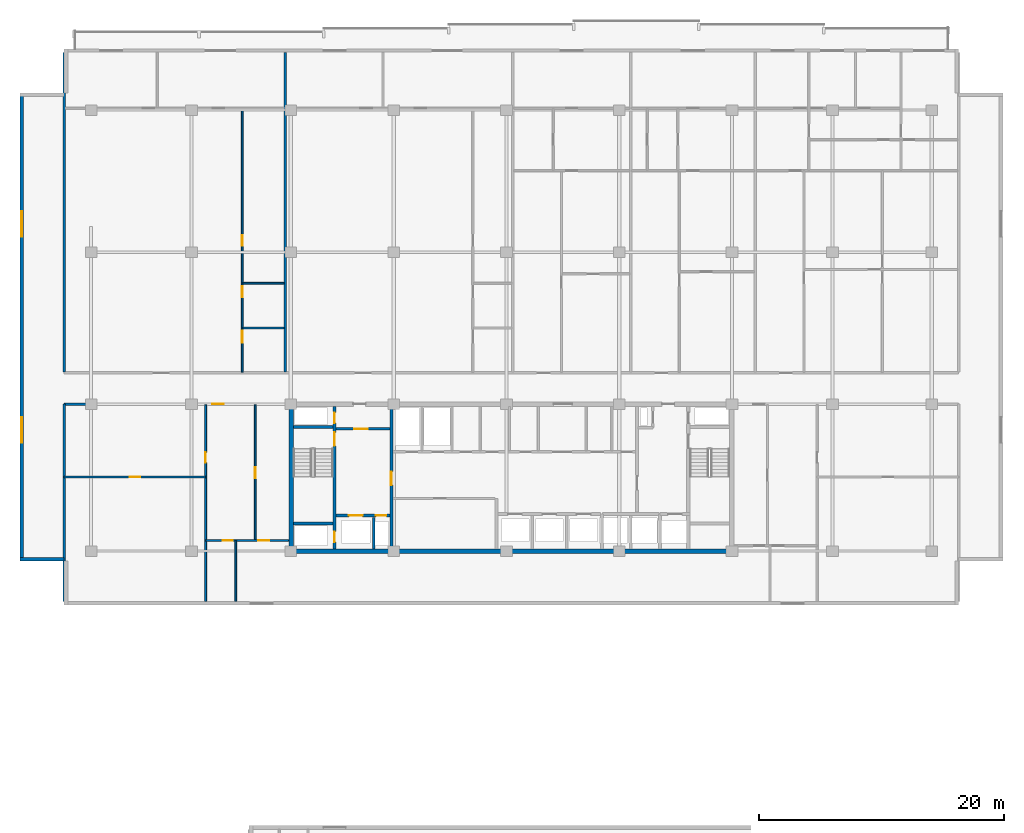
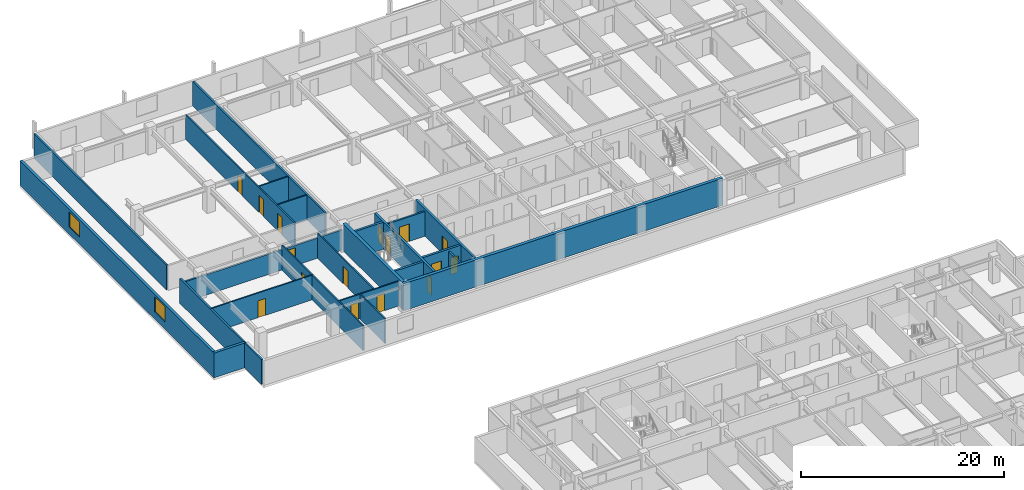
# One storey, part 10 of 21: 23 walls, 16 doors, 2 windows, 18 openings.
"""IFC4 building model written with IfcOpenShell, lengths in metres."""

from ifc_helpers import new_model, si_unit, direction, frame, frame_2d, origin, place, context, subcontext, project, spatial, rectangle, extrude, material, layer, layer_set, type_object, element, fill, save


model = new_model("IFC4")

# Units and contexts
model_context = context("Model", 3, precision=1e-05, world=origin(), true_north=direction((0.0, 1.0)))
body_context = subcontext(model_context, "Body", "Model", "MODEL_VIEW")
ifc_project = project(units=[si_unit("LENGTHUNIT", "METRE"), si_unit("AREAUNIT", "SQUARE_METRE"), si_unit("VOLUMEUNIT", "CUBIC_METRE"), si_unit("PLANEANGLEUNIT", "RADIAN"), si_unit("MASSUNIT", "GRAM", prefix="KILO")], contexts=[model_context])

# Site, building, storey
site_placement = place(None, origin())
site = spatial("IfcSite", under=ifc_project, at=site_placement, CompositionType="ELEMENT")
building_placement = place(site_placement, origin())
building = spatial("IfcBuilding", under=site, at=building_placement, Name="Korimba Cascade Residences", CompositionType="ELEMENT")
storey_placement = place(building_placement, frame((0.0, 0.0, 100.300048828125)))
storey = spatial("IfcBuildingStorey", under=building, at=storey_placement, Name="L28", CompositionType="ELEMENT", Elevation=100.300048828125)

# Wall, openings, windows
ifc_material_1 = material(Name="Precast concrete C40/50", Category="concrete")
ifc_layer_1 = layer(ifc_material_1, 0.300048828125)
ifc_layer_set_1 = layer_set([ifc_layer_1], Name="Precast concrete C40/50")
wall_type_1 = type_object("IfcWallType", Name="EW-STONE-300", PredefinedType="STANDARD", material=ifc_layer_set_1)
wall_1_placement = place(storey_placement, frame((54.14990234375, 92.60009765625, 0.0), z_axis=(0.0, 0.0, 1.0), x_axis=(0.0, -1.0, 0.0)))
wall_1 = element("IfcWall", 1, at=wall_1_placement, inside=storey, type_object=wall_type_1, Name="L28 T1 Perimeter Stone Wall E09", PredefinedType="STANDARD", context=body_context, shape_type="SweptSolid", body=[
    extrude(rectangle(XDim=38.2001953125, YDim=0.300048828125, at=frame_2d((19.10009765625, 0.0))), origin(), (0.0, 0.0, 1.0), 2.969970703125),
])
opening_1_placement = place(wall_1_placement, frame((9.64599609375, 0.0, 0.85009765625)))
opening_1 = element("IfcOpeningElement", 2, at=opening_1_placement, cuts=wall_1, Name="Opening W-03", PredefinedType="OPENING", context=body_context, shape_type="SweptSolid", body=[
    extrude(rectangle(XDim=2.10009765625, YDim=1.85009765625, at=frame_2d((1.050048828125, 0.925048828125))), frame((0.0, 0.16015625, 0.0), z_axis=(0.0, -1.0, 0.0), x_axis=(1.0, 0.0, 0.0)), (0.0, 0.0, 1.0), 0.320068359375),
])
opening_2_placement = place(wall_1_placement, frame((26.4541015625, 0.0, 0.85009765625)))
opening_2 = element("IfcOpeningElement", 3, at=opening_2_placement, cuts=wall_1, Name="Opening W-03", PredefinedType="OPENING", context=body_context, shape_type="SweptSolid", body=[
    extrude(rectangle(XDim=2.10009765625, YDim=1.85009765625, at=frame_2d((1.050048828125, 0.925048828125))), frame((0.0, 0.16015625, 0.0), z_axis=(0.0, -1.0, 0.0), x_axis=(1.0, 0.0, 0.0)), (0.0, 0.0, 1.0), 0.320068359375),
])
ifc_material_2 = material(Name="Double-Glazed Aluminium Window", Category="aluminium")
window_type = type_object("IfcWindowType", Name="WIN-CRN-2100", PartitioningType="DOUBLE_PANEL_HORIZONTAL", PredefinedType="WINDOW", material=ifc_material_2)
window_1_placement = place(opening_1_placement, origin())
window_1 = element("IfcWindow", 4, at=window_1_placement, inside=storey, type_object=window_type, Name="L28 T1 End View Window 9.1", OverallHeight=1.85009765625, OverallWidth=2.10009765625, PartitioningType="DOUBLE_PANEL_HORIZONTAL", PredefinedType="WINDOW", context=body_context, shape_type="SweptSolid", body=[
    extrude(rectangle(XDim=2.10009765625, YDim=1.85009765625, at=frame_2d((1.050048828125, 0.925048828125))), frame((0.0, 0.030029296875, 0.0), z_axis=(0.0, -1.0, 0.0), x_axis=(1.0, 0.0, 0.0)), (0.0, 0.0, 1.0), 0.06005859375),
])
fill(opening_1, window_1)
window_2_placement = place(opening_2_placement, origin())
window_2 = element("IfcWindow", 5, at=window_2_placement, inside=storey, type_object=window_type, Name="L28 T1 End View Window 9.2", OverallHeight=1.85009765625, OverallWidth=2.10009765625, PartitioningType="DOUBLE_PANEL_HORIZONTAL", PredefinedType="WINDOW", context=body_context, shape_type="SweptSolid", body=[
    extrude(rectangle(XDim=2.10009765625, YDim=1.85009765625, at=frame_2d((1.050048828125, 0.925048828125))), frame((0.0, 0.030029296875, 0.0), z_axis=(0.0, -1.0, 0.0), x_axis=(1.0, 0.0, 0.0)), (0.0, 0.0, 1.0), 0.06005859375),
])
fill(opening_2, window_2)

# Walls
wall_2_placement = place(storey_placement, frame((54.0, 54.550048828125, 0.0), z_axis=(0.0, 0.0, 1.0), x_axis=(1.0, 0.0, 0.0)))
element("IfcWall", 6, at=wall_2_placement, inside=storey, type_object=wall_type_1, Name="L28 T1 Perimeter Stone Wall E10", PredefinedType="STANDARD", context=body_context, shape_type="SweptSolid", body=[
    extrude(rectangle(XDim=3.60009765625, YDim=0.300048828125, at=frame_2d((1.800048828125, 0.0))), origin(), (0.0, 0.0, 1.0), 2.969970703125),
])
ifc_material_3 = material(Name="Concrete C65/80", Category="concrete")
ifc_layer_2 = layer(ifc_material_3, 0.35009765625)
ifc_layer_set_2 = layer_set([ifc_layer_2], Name="Concrete C65/80")
wall_type_2 = type_object("IfcWallType", Name="WAL-CORE-350", PredefinedType="SHEAR", material=ifc_layer_set_2)
wall_3_placement = place(storey_placement, frame((75.949951171875, 55.199951171875, 0.0), z_axis=(0.0, 0.0, 1.0), x_axis=(1.0, 0.0, 0.0)))
element("IfcWall", 7, at=wall_3_placement, inside=storey, type_object=wall_type_2, Name="L28 Core Shear Wall CW-L28-T1-S", PredefinedType="SHEAR", context=body_context, shape_type="SweptSolid", body=[
    extrude(rectangle(XDim=36.300048828125, YDim=0.35009765625, at=frame_2d((18.14990234375, 0.0))), origin(), (0.0, 0.0, 1.0), 3.25),
])
wall_4_placement = place(storey_placement, frame((76.125, 55.375, 0.0), z_axis=(0.0, 0.0, 1.0), x_axis=(0.0, 1.0, 0.0)))
element("IfcWall", 8, at=wall_4_placement, inside=storey, type_object=wall_type_2, Name="L28 Core Shear Wall CW-L28-T1-W", PredefinedType="SHEAR", context=body_context, shape_type="SweptSolid", body=[
    extrude(rectangle(XDim=11.64990234375, YDim=0.35009765625, at=frame_2d((5.824951171875, 0.0))), origin(), (0.0, 0.0, 1.0), 3.25),
])
ifc_layer_3 = layer(ifc_material_1, 0.199951171875)
ifc_layer_set_3 = layer_set([ifc_layer_3], Name="Precast concrete C40/50")
wall_type_3 = type_object("IfcWallType", Name="WAL-IT-200", PredefinedType="PARTITIONING", material=ifc_layer_set_3)
wall_5_placement = place(storey_placement, frame((57.60009765625, 51.10009765625, 0.0), z_axis=(0.0, 0.0, 1.0), x_axis=(0.0, 1.0, 0.0)))
element("IfcWall", 9, at=wall_5_placement, inside=storey, type_object=wall_type_3, Name="L28 Partition Wall WAL-L28-T1-FW-WL", PredefinedType="PARTITIONING", context=body_context, shape_type="SweptSolid", body=[
    extrude(rectangle(XDim=16.099853515625, YDim=0.199951171875, at=frame_2d((8.0498046875, 0.0))), origin(), (0.0, 0.0, 1.0), 2.969970703125),
])

# Wall, opening, door
wall_6_placement = place(storey_placement, frame((57.60009765625, 67.199951171875, 0.0), z_axis=(0.0, 0.0, 1.0), x_axis=(1.0, 0.0, 0.0)))
wall_6 = element("IfcWall", 10, at=wall_6_placement, inside=storey, type_object=wall_type_3, Name="L28 Partition Wall WAL-L28-T1-FW-N", PredefinedType="PARTITIONING", context=body_context, shape_type="SweptSolid", body=[
    extrude(rectangle(XDim=18.349853515625, YDim=0.199951171875, at=frame_2d((9.1748046875, 0.0))), origin(), (0.0, 0.0, 1.0), 2.433349609375),
])
opening_3_placement = place(wall_6_placement, frame((12.07470703125, 0.0, 0.0)))
opening_3 = element("IfcOpeningElement", 11, at=opening_3_placement, cuts=wall_6, Name="Opening D-UN1", PredefinedType="OPENING", context=body_context, shape_type="SweptSolid", body=[
    extrude(rectangle(XDim=0.949951171875, YDim=2.14990234375, at=frame_2d((0.47509765625, 1.074951171875))), frame((0.0, 0.10986328125, 0.0), z_axis=(0.0, -1.0, 0.0), x_axis=(1.0, 0.0, 0.0)), (0.0, 0.0, 1.0), 0.219970703125),
])
ifc_material_4 = material(Name="Fire-Rated Hardwood Apartment Entrance Door", Category="wood")
door_type_1 = type_object("IfcDoorType", Name="DR-FD60-950", OperationType="NOTDEFINED", PredefinedType="DOOR", material=ifc_material_4)
door_1_placement = place(opening_3_placement, origin())
door_1 = element("IfcDoor", 12, at=door_1_placement, inside=storey, type_object=door_type_1, Name="L28-T1-FW Entrance Door", OperationType="SINGLE_SWING_LEFT", OverallHeight=2.14990234375, OverallWidth=0.949951171875, PredefinedType="DOOR", context=body_context, shape_type="SweptSolid", body=[
    extrude(rectangle(XDim=0.949951171875, YDim=2.14990234375, at=frame_2d((0.47509765625, 1.074951171875))), frame((0.0, 0.02490234375, 0.0), z_axis=(0.0, -1.0, 0.0), x_axis=(1.0, 0.0, 0.0)), (0.0, 0.0, 1.0), 0.050048828125),
])
fill(opening_3, door_1)

# Walls
for number, where, z_axis, x_axis, name in (
    (13, (57.60009765625, 69.830078125, 0.0), (0.0, 0.0, 1.0), (0.0, 1.0, 0.0), "L28 Partition Wall WAL-L28-T1-BNDWL"),
    (14, (75.632080078125, 69.830078125, 0.0), (0.0, 0.0, 1.0), (0.0, 1.0, 0.0), "L28 Partition Wall WAL-L28-T1-DEM-1"),
):
    element("IfcWall", number, at=place(storey_placement, frame(where, z_axis=z_axis, x_axis=x_axis)), inside=storey, type_object=wall_type_3, Name=name, PredefinedType="PARTITIONING", context=body_context, shape_type="SweptSolid", body=[
        extrude(rectangle(XDim=26.06982421875, YDim=0.199951171875, at=frame_2d((13.034912109375, 0.0))), origin(), (0.0, 0.0, 1.0), 2.969970703125),
    ])

# Wall, opening, door
ifc_material_5 = material(Name="Insulated Acoustic Stud Partition", Category="gypsum")
ifc_layer_4 = layer(ifc_material_5, 0.14990234375)
ifc_layer_set_4 = layer_set([ifc_layer_4], Name="Insulated Acoustic Stud Partition")
wall_type_4 = type_object("IfcWallType", Name="WAL-PART-150", PredefinedType="PARTITIONING", material=ifc_layer_set_4)
wall_7_placement = place(storey_placement, frame((57.60009765625, 61.25, 0.0), z_axis=(0.0, 0.0, 1.0), x_axis=(1.0, 0.0, 0.0)))
wall_7 = element("IfcWall", 15, at=wall_7_placement, inside=storey, type_object=wall_type_4, Name="L28 Partition Wall WAL-L28-T1-FW-STH", PredefinedType="PARTITIONING", context=body_context, shape_type="SweptSolid", body=[
    extrude(rectangle(XDim=11.5498046875, YDim=0.14990234375, at=frame_2d((5.77490234375, 0.0))), origin(), (0.0, 0.0, 1.0), 2.969970703125),
])
opening_4_placement = place(wall_7_placement, frame((5.35498046875, 0.0, 0.0)))
opening_4 = element("IfcOpeningElement", 16, at=opening_4_placement, cuts=wall_7, Name="Opening D-BT1", PredefinedType="OPENING", context=body_context, shape_type="SweptSolid", body=[
    extrude(rectangle(XDim=0.840087890625, YDim=2.0400390625, at=frame_2d((0.419921875, 1.02001953125))), frame((0.0, 0.0849609375, 0.0), z_axis=(0.0, -1.0, 0.0), x_axis=(1.0, 0.0, 0.0)), (0.0, 0.0, 1.0), 0.169921875),
])
ifc_material_6 = material(Name="Moisture-Resistant Bathroom Timber Door", Category="wood")
door_type_2 = type_object("IfcDoorType", Name="DR-INT-850", OperationType="NOTDEFINED", PredefinedType="DOOR", material=ifc_material_6)
door_2_placement = place(opening_4_placement, origin())
door_2 = element("IfcDoor", 17, at=door_2_placement, inside=storey, type_object=door_type_2, Name="L28-T1-FW Dressing Store Door", OperationType="SINGLE_SWING_RIGHT", OverallHeight=2.0400390625, OverallWidth=0.840087890625, PredefinedType="DOOR", context=body_context, shape_type="SweptSolid", body=[
    extrude(rectangle(XDim=0.840087890625, YDim=2.0400390625, at=frame_2d((0.419921875, 1.02001953125))), frame((0.0, 0.02490234375, 0.0), z_axis=(0.0, -1.0, 0.0), x_axis=(1.0, 0.0, 0.0)), (0.0, 0.0, 1.0), 0.050048828125),
])
fill(opening_4, door_2)

wall_8_placement = place(storey_placement, frame((69.14990234375, 51.10009765625, 0.0), z_axis=(0.0, 0.0, 1.0), x_axis=(0.0, 1.0, 0.0)))
wall_8 = element("IfcWall", 18, at=wall_8_placement, inside=storey, type_object=wall_type_4, Name="L28 Partition Wall WAL-L28-T1-FW-STV", PredefinedType="PARTITIONING", context=body_context, shape_type="SweptSolid", body=[
    extrude(rectangle(XDim=16.0498046875, YDim=0.14990234375, at=frame_2d((8.02490234375, 0.0))), origin(), (0.0, 0.0, 1.0), 2.969970703125),
])
opening_5_placement = place(wall_8_placement, frame((11.300048828125, 0.0, 0.0)))
opening_5 = element("IfcOpeningElement", 19, at=opening_5_placement, cuts=wall_8, Name="Opening D-IN2", PredefinedType="OPENING", context=body_context, shape_type="SweptSolid", body=[
    extrude(rectangle(XDim=0.8798828125, YDim=2.06005859375, at=frame_2d((0.43994140625, 1.030029296875))), frame((0.0, 0.0849609375, 0.0), z_axis=(0.0, -1.0, 0.0), x_axis=(1.0, 0.0, 0.0)), (0.0, 0.0, 1.0), 0.169921875),
])
ifc_material_7 = material(Name="Acoustic Timber Bedroom Door", Category="wood")
door_type_3 = type_object("IfcDoorType", Name="DR-INT-880", OperationType="NOTDEFINED", PredefinedType="DOOR", material=ifc_material_7)
door_3_placement = place(opening_5_placement, origin())
door_3 = element("IfcDoor", 20, at=door_3_placement, inside=storey, type_object=door_type_3, Name="L28-T1-FW Study Door", OperationType="SINGLE_SWING_LEFT", OverallHeight=2.06005859375, OverallWidth=0.8798828125, PredefinedType="DOOR", context=body_context, shape_type="SweptSolid", body=[
    extrude(rectangle(XDim=0.8798828125, YDim=2.06005859375, at=frame_2d((0.43994140625, 1.030029296875))), frame((0.0, 0.02490234375, 0.0), z_axis=(0.0, -1.0, 0.0), x_axis=(1.0, 0.0, 0.0)), (0.0, 0.0, 1.0), 0.050048828125),
])
fill(opening_5, door_3)

wall_9_placement = place(storey_placement, frame((73.199951171875, 56.070068359375, 0.0), z_axis=(0.0, 0.0, 1.0), x_axis=(0.0, 1.0, 0.0)))
wall_9 = element("IfcWall", 21, at=wall_9_placement, inside=storey, type_object=wall_type_4, Name="L28 Partition Wall WAL-L28-T1-FW-VN", PredefinedType="PARTITIONING", context=body_context, shape_type="SweptSolid", body=[
    extrude(rectangle(XDim=11.079833984375, YDim=0.14990234375, at=frame_2d((5.5400390625, 0.0))), origin(), (0.0, 0.0, 1.0), 2.969970703125),
])
opening_6_placement = place(wall_9_placement, frame((5.080078125, 0.0, 0.0)))
opening_6 = element("IfcOpeningElement", 22, at=opening_6_placement, cuts=wall_9, Name="Opening D-IN1", PredefinedType="OPENING", context=body_context, shape_type="SweptSolid", body=[
    extrude(rectangle(XDim=0.919921875, YDim=2.080078125, at=frame_2d((0.4599609375, 1.0400390625))), frame((0.0, 0.0849609375, 0.0), z_axis=(0.0, -1.0, 0.0), x_axis=(1.0, 0.0, 0.0)), (0.0, 0.0, 1.0), 0.169921875),
])
ifc_material_8 = material(Name="Acoustic Timber Living Door", Category="wood")
door_type_4 = type_object("IfcDoorType", Name="DR-INT-920", OperationType="NOTDEFINED", PredefinedType="DOOR", material=ifc_material_8)
door_4_placement = place(opening_6_placement, origin())
door_4 = element("IfcDoor", 23, at=door_4_placement, inside=storey, type_object=door_type_4, Name="L28-T1-FW Living Door", OperationType="SINGLE_SWING_RIGHT", OverallHeight=2.080078125, OverallWidth=0.919921875, PredefinedType="DOOR", context=body_context, shape_type="SweptSolid", body=[
    extrude(rectangle(XDim=0.919921875, YDim=2.080078125, at=frame_2d((0.4599609375, 1.0400390625))), frame((0.0, 0.02490234375, 0.0), z_axis=(0.0, -1.0, 0.0), x_axis=(1.0, 0.0, 0.0)), (0.0, 0.0, 1.0), 0.050048828125),
])
fill(opening_6, door_4)

# Wall
wall_10_placement = place(storey_placement, frame((71.60009765625, 51.10009765625, 0.0), z_axis=(0.0, 0.0, 1.0), x_axis=(0.0, 1.0, 0.0)))
element("IfcWall", 24, at=wall_10_placement, inside=storey, type_object=wall_type_4, Name="L28 Partition Wall WAL-L28-T1-FW-VS", PredefinedType="PARTITIONING", context=body_context, shape_type="SweptSolid", body=[
    extrude(rectangle(XDim=4.969970703125, YDim=0.14990234375, at=frame_2d((2.48486328125, 0.0))), origin(), (0.0, 0.0, 1.0), 2.969970703125),
])

# Wall, openings, doors
wall_11_placement = place(storey_placement, frame((69.169921875, 56.070068359375, 0.0), z_axis=(0.0, 0.0, 1.0), x_axis=(1.0, 0.0, 0.0)))
wall_11 = element("IfcWall", 25, at=wall_11_placement, inside=storey, type_object=wall_type_4, Name="L28 Partition Wall WAL-L28-T1-FW-H", PredefinedType="PARTITIONING", context=body_context, shape_type="SweptSolid", body=[
    extrude(rectangle(XDim=6.760009765625, YDim=0.14990234375, at=frame_2d((3.3798828125, 0.0))), origin(), (0.0, 0.0, 1.0), 2.969970703125),
])
opening_7_placement = place(wall_11_placement, frame((1.3623046875, 0.0, 0.0)))
opening_7 = element("IfcOpeningElement", 26, at=opening_7_placement, cuts=wall_11, Name="Opening D-BT1", PredefinedType="OPENING", context=body_context, shape_type="SweptSolid", body=[
    extrude(rectangle(XDim=0.840087890625, YDim=2.0400390625, at=frame_2d((0.419921875, 1.02001953125))), frame((0.0, 0.0849609375, 0.0), z_axis=(0.0, -1.0, 0.0), x_axis=(1.0, 0.0, 0.0)), (0.0, 0.0, 1.0), 0.169921875),
])
opening_8_placement = place(wall_11_placement, frame((4.276611328125, 0.0, 0.0)))
opening_8 = element("IfcOpeningElement", 27, at=opening_8_placement, cuts=wall_11, Name="Opening D-IN2", PredefinedType="OPENING", context=body_context, shape_type="SweptSolid", body=[
    extrude(rectangle(XDim=0.8798828125, YDim=2.06005859375, at=frame_2d((0.43994140625, 1.030029296875))), frame((0.0, 0.0849609375, 0.0), z_axis=(0.0, -1.0, 0.0), x_axis=(1.0, 0.0, 0.0)), (0.0, 0.0, 1.0), 0.169921875),
])
door_5_placement = place(opening_7_placement, origin())
door_5 = element("IfcDoor", 28, at=door_5_placement, inside=storey, type_object=door_type_2, Name="L28-T1-FW Bathroom Door", OperationType="SINGLE_SWING_LEFT", OverallHeight=2.0400390625, OverallWidth=0.840087890625, PredefinedType="DOOR", context=body_context, shape_type="SweptSolid", body=[
    extrude(rectangle(XDim=0.840087890625, YDim=2.0400390625, at=frame_2d((0.419921875, 1.02001953125))), frame((0.0, 0.02490234375, 0.0), z_axis=(0.0, -1.0, 0.0), x_axis=(1.0, 0.0, 0.0)), (0.0, 0.0, 1.0), 0.050048828125),
])
fill(opening_7, door_5)
door_6_placement = place(opening_8_placement, origin())
door_6 = element("IfcDoor", 29, at=door_6_placement, inside=storey, type_object=door_type_3, Name="L28-T1-FW Bedroom Door", OperationType="SINGLE_SWING_RIGHT", OverallHeight=2.06005859375, OverallWidth=0.8798828125, PredefinedType="DOOR", context=body_context, shape_type="SweptSolid", body=[
    extrude(rectangle(XDim=0.8798828125, YDim=2.06005859375, at=frame_2d((0.43994140625, 1.030029296875))), frame((0.0, 0.02490234375, 0.0), z_axis=(0.0, -1.0, 0.0), x_axis=(1.0, 0.0, 0.0)), (0.0, 0.0, 1.0), 0.050048828125),
])
fill(opening_8, door_6)

# Walls
for number, where, z_axis, x_axis, name in (
    (30, (72.192138671875, 73.419921875, 0.0), (0.0, 0.0, 1.0), (1.0, 0.0, 0.0), "L28 Partition Wall WAL-L28-T1-U01-WCH"),
    (31, (72.192138671875, 77.070068359375, 0.0), (0.0, 0.0, 1.0), (1.0, 0.0, 0.0), "L28 Partition Wall WAL-L28-T1-U01-WCH2"),
):
    element("IfcWall", number, at=place(storey_placement, frame(where, z_axis=z_axis, x_axis=x_axis)), inside=storey, type_object=wall_type_4, Name=name, PredefinedType="PARTITIONING", context=body_context, shape_type="SweptSolid", body=[
        extrude(rectangle(XDim=3.35986328125, YDim=0.14990234375, at=frame_2d((1.679931640625, 0.0))), origin(), (0.0, 0.0, 1.0), 2.969970703125),
    ])

# Wall, openings, doors
wall_12_placement = place(storey_placement, frame((72.132080078125, 69.81005859375, 0.0), z_axis=(0.0, 0.0, 1.0), x_axis=(0.0, 1.0, 0.0)))
wall_12 = element("IfcWall", 32, at=wall_12_placement, inside=storey, type_object=wall_type_4, Name="L28 Partition Wall WAL-L28-T1-U01-WCV", PredefinedType="PARTITIONING", context=body_context, shape_type="SweptSolid", body=[
    extrude(rectangle(XDim=21.47998046875, YDim=0.14990234375, at=frame_2d((10.739990234375, 0.0))), origin(), (0.0, 0.0, 1.0), 2.969970703125),
])
opening_9_placement = place(wall_12_placement, frame((2.406005859375, 0.0, 0.0)))
opening_9 = element("IfcOpeningElement", 33, at=opening_9_placement, cuts=wall_12, Name="Opening D-AC1", PredefinedType="OPENING", context=body_context, shape_type="SweptSolid", body=[
    extrude(rectangle(XDim=0.9599609375, YDim=2.10009765625, at=frame_2d((0.47998046875, 1.050048828125))), frame((0.0, 0.0849609375, 0.0), z_axis=(0.0, -1.0, 0.0), x_axis=(1.0, 0.0, 0.0)), (0.0, 0.0, 1.0), 0.169921875),
])
opening_10_placement = place(wall_12_placement, frame((6.132568359375, 0.0, 0.0)))
opening_10 = element("IfcOpeningElement", 34, at=opening_10_placement, cuts=wall_12, Name="Opening D-IN2", PredefinedType="OPENING", context=body_context, shape_type="SweptSolid", body=[
    extrude(rectangle(XDim=0.8798828125, YDim=2.06005859375, at=frame_2d((0.43994140625, 1.030029296875))), frame((0.0, 0.0849609375, 0.0), z_axis=(0.0, -1.0, 0.0), x_axis=(1.0, 0.0, 0.0)), (0.0, 0.0, 1.0), 0.169921875),
])
opening_11_placement = place(wall_12_placement, frame((10.320068359375, 0.0, 0.0)))
opening_11 = element("IfcOpeningElement", 35, at=opening_11_placement, cuts=wall_12, Name="Opening D-BT1", PredefinedType="OPENING", context=body_context, shape_type="SweptSolid", body=[
    extrude(rectangle(XDim=0.840087890625, YDim=2.0400390625, at=frame_2d((0.419921875, 1.02001953125))), frame((0.0, 0.0849609375, 0.0), z_axis=(0.0, -1.0, 0.0), x_axis=(1.0, 0.0, 0.0)), (0.0, 0.0, 1.0), 0.169921875),
])
ifc_material_9 = material(Name="Accessible Acoustic Timber WC Door", Category="wood")
door_type_5 = type_object("IfcDoorType", Name="DR-ACC-950", OperationType="NOTDEFINED", PredefinedType="DOOR", material=ifc_material_9)
door_7_placement = place(opening_9_placement, origin())
door_7 = element("IfcDoor", 36, at=door_7_placement, inside=storey, type_object=door_type_5, Name="L28-T1-U01 Accessible WC Door", OperationType="SINGLE_SWING_RIGHT", OverallHeight=2.10009765625, OverallWidth=0.9599609375, PredefinedType="DOOR", context=body_context, shape_type="SweptSolid", body=[
    extrude(rectangle(XDim=0.9599609375, YDim=2.10009765625, at=frame_2d((0.47998046875, 1.050048828125))), frame((0.0, 0.02490234375, 0.0), z_axis=(0.0, -1.0, 0.0), x_axis=(1.0, 0.0, 0.0)), (0.0, 0.0, 1.0), 0.050048828125),
])
fill(opening_9, door_7)
door_8_placement = place(opening_11_placement, origin())
door_8 = element("IfcDoor", 37, at=door_8_placement, inside=storey, type_object=door_type_2, Name="L28-T1-U01 Suite Store Door", OperationType="SINGLE_SWING_RIGHT", OverallHeight=2.0400390625, OverallWidth=0.840087890625, PredefinedType="DOOR", context=body_context, shape_type="SweptSolid", body=[
    extrude(rectangle(XDim=0.840087890625, YDim=2.0400390625, at=frame_2d((0.419921875, 1.02001953125))), frame((0.0, 0.02490234375, 0.0), z_axis=(0.0, -1.0, 0.0), x_axis=(1.0, 0.0, 0.0)), (0.0, 0.0, 1.0), 0.050048828125),
])
fill(opening_11, door_8)
door_9_placement = place(opening_10_placement, origin())
door_9 = element("IfcDoor", 38, at=door_9_placement, inside=storey, type_object=door_type_3, Name="L28-T1-U01 Restroom WC Door", OperationType="SINGLE_SWING_LEFT", OverallHeight=2.06005859375, OverallWidth=0.8798828125, PredefinedType="DOOR", context=body_context, shape_type="SweptSolid", body=[
    extrude(rectangle(XDim=0.8798828125, YDim=2.06005859375, at=frame_2d((0.43994140625, 1.030029296875))), frame((0.0, 0.02490234375, 0.0), z_axis=(0.0, -1.0, 0.0), x_axis=(1.0, 0.0, 0.0)), (0.0, 0.0, 1.0), 0.050048828125),
])
fill(opening_10, door_9)

# Wall
ifc_material_10 = material(Name="Concrete C40/50", Category="concrete")
ifc_layer_5 = layer(ifc_material_10, 0.199951171875)
ifc_layer_set_5 = layer_set([ifc_layer_5], Name="Concrete C40/50")
wall_type_5 = type_object("IfcWallType", Name="WAL-PART-200", PredefinedType="PARTITIONING", material=ifc_layer_set_5)
wall_13_placement = place(storey_placement, frame((82.85009765625, 55.39990234375, 0.0), z_axis=(0.0, 0.0, 1.0), x_axis=(0.0, 1.0, 0.0)))
element("IfcWall", 39, at=wall_13_placement, inside=storey, type_object=wall_type_5, Name="L28 Partition Wall CW-L28-T1-FFLDIV", PredefinedType="PARTITIONING", context=body_context, shape_type="SweptSolid", body=[
    extrude(rectangle(XDim=2.56005859375, YDim=0.199951171875, at=frame_2d((1.280029296875, 0.0))), origin(), (0.0, 0.0, 1.0), 2.969970703125),
])

# Wall, opening, door
wall_14_placement = place(storey_placement, frame((79.7900390625, 65.179931640625, 0.0), z_axis=(0.0, 0.0, 1.0), x_axis=(1.0, 0.0, 0.0)))
wall_14 = element("IfcWall", 40, at=wall_14_placement, inside=storey, type_object=wall_type_5, Name="L28 Partition Wall CW-L28-T1-FFLN", PredefinedType="PARTITIONING", context=body_context, shape_type="SweptSolid", body=[
    extrude(rectangle(XDim=4.389892578125, YDim=0.199951171875, at=frame_2d((2.19482421875, 0.0))), origin(), (0.0, 0.0, 1.0), 2.969970703125),
])
opening_12_placement = place(wall_14_placement, frame((1.5, 0.0, 0.0)))
opening_12 = element("IfcOpeningElement", 41, at=opening_12_placement, cuts=wall_14, Name="Opening D-FD1", PredefinedType="OPENING", context=body_context, shape_type="SweptSolid", body=[
    extrude(rectangle(XDim=1.10009765625, YDim=2.10009765625, at=frame_2d((0.550048828125, 1.050048828125))), frame((0.0, 0.10986328125, 0.0), z_axis=(0.0, -1.0, 0.0), x_axis=(1.0, 0.0, 0.0)), (0.0, 0.0, 1.0), 0.219970703125),
])
ifc_material_11 = material(Name="Fire-Rated Steel Core Door", Category="steel")
door_type_6 = type_object("IfcDoorType", Name="DR-FD120-1100", OperationType="NOTDEFINED", PredefinedType="DOOR", material=ifc_material_11)
door_10_placement = place(opening_12_placement, origin())
door_10 = element("IfcDoor", 42, at=door_10_placement, inside=storey, type_object=door_type_6, Name="L28 West Firefighting Lobby Door", OperationType="SINGLE_SWING_RIGHT", OverallHeight=2.10009765625, OverallWidth=1.10009765625, PredefinedType="DOOR", context=body_context, shape_type="SweptSolid", body=[
    extrude(rectangle(XDim=1.10009765625, YDim=2.10009765625, at=frame_2d((0.550048828125, 1.050048828125))), frame((0.0, 0.02490234375, 0.0), z_axis=(0.0, -1.0, 0.0), x_axis=(1.0, 0.0, 0.0)), (0.0, 0.0, 1.0), 0.050048828125),
])
fill(opening_12, door_10)

# Wall, openings, doors
ifc_material_12 = material(Name="Concrete C50/60", Category="concrete")
ifc_layer_6 = layer(ifc_material_12, 0.25)
ifc_layer_set_6 = layer_set([ifc_layer_6], Name="Concrete C50/60")
wall_type_6 = type_object("IfcWallType", Name="WAL-SHAFT-250", PredefinedType="SHEAR", material=ifc_layer_set_6)
wall_15_placement = place(storey_placement, frame((79.6650390625, 55.39990234375, 0.0), z_axis=(0.0, 0.0, 1.0), x_axis=(0.0, 1.0, 0.0)))
wall_15 = element("IfcWall", 43, at=wall_15_placement, inside=storey, type_object=wall_type_6, Name="L28 Core Shear Wall CW-L28-T1-STW1E", PredefinedType="SHEAR", context=body_context, shape_type="SweptSolid", body=[
    extrude(rectangle(XDim=11.60009765625, YDim=0.25, at=frame_2d((5.800048828125, 0.0))), origin(), (0.0, 0.0, 1.0), 3.25),
])
opening_13_placement = place(wall_15_placement, frame((0.550048828125, 0.0, 0.0)))
opening_13 = element("IfcOpeningElement", 44, at=opening_13_placement, cuts=wall_15, Name="Opening D-RS1", PredefinedType="OPENING", context=body_context, shape_type="SweptSolid", body=[
    extrude(rectangle(XDim=0.85009765625, YDim=2.050048828125, at=frame_2d((0.425048828125, 1.02490234375))), frame((0.0, 0.135009765625, 0.0), z_axis=(0.0, -1.0, 0.0), x_axis=(1.0, 0.0, 0.0)), (0.0, 0.0, 1.0), 0.27001953125),
])
opening_14_placement = place(wall_15_placement, frame((8.39990234375, 0.0, 0.0)))
opening_14 = element("IfcOpeningElement", 45, at=opening_14_placement, cuts=wall_15, Name="Opening D-FD1", PredefinedType="OPENING", context=body_context, shape_type="SweptSolid", body=[
    extrude(rectangle(XDim=1.10009765625, YDim=2.10009765625, at=frame_2d((0.550048828125, 1.050048828125))), frame((0.0, 0.135009765625, 0.0), z_axis=(0.0, -1.0, 0.0), x_axis=(1.0, 0.0, 0.0)), (0.0, 0.0, 1.0), 0.27001953125),
])
opening_15_placement = place(wall_15_placement, frame((10.25, 0.0, 0.0)))
opening_15 = element("IfcOpeningElement", 46, at=opening_15_placement, cuts=wall_15, Name="Opening D-RS1", PredefinedType="OPENING", context=body_context, shape_type="SweptSolid", body=[
    extrude(rectangle(XDim=0.85009765625, YDim=2.050048828125, at=frame_2d((0.425048828125, 1.02490234375))), frame((0.0, 0.135009765625, 0.0), z_axis=(0.0, -1.0, 0.0), x_axis=(1.0, 0.0, 0.0)), (0.0, 0.0, 1.0), 0.27001953125),
])
door_11_placement = place(opening_14_placement, origin())
door_11 = element("IfcDoor", 47, at=door_11_placement, inside=storey, type_object=door_type_6, Name="L28 Fire Stair ST-W1 Door", OperationType="SINGLE_SWING_LEFT", OverallHeight=2.10009765625, OverallWidth=1.10009765625, PredefinedType="DOOR", context=body_context, shape_type="SweptSolid", body=[
    extrude(rectangle(XDim=1.10009765625, YDim=2.10009765625, at=frame_2d((0.550048828125, 1.050048828125))), frame((0.0, 0.02490234375, 0.0), z_axis=(0.0, -1.0, 0.0), x_axis=(1.0, 0.0, 0.0)), (0.0, 0.0, 1.0), 0.050048828125),
])
fill(opening_14, door_11)
ifc_material_13 = material(Name="Fire-Rated Steel Riser Access Door", Category="steel")
door_type_7 = type_object("IfcDoorType", Name="DR-FD60-850", OperationType="NOTDEFINED", PredefinedType="DOOR", material=ifc_material_13)
door_12_placement = place(opening_13_placement, origin())
door_12 = element("IfcDoor", 48, at=door_12_placement, inside=storey, type_object=door_type_7, Name="L28 Smoke Riser Access Door", OperationType="SINGLE_SWING_RIGHT", OverallHeight=2.050048828125, OverallWidth=0.85009765625, PredefinedType="DOOR", context=body_context, shape_type="SweptSolid", body=[
    extrude(rectangle(XDim=0.85009765625, YDim=2.050048828125, at=frame_2d((0.425048828125, 1.02490234375))), frame((0.0, 0.02490234375, 0.0), z_axis=(0.0, -1.0, 0.0), x_axis=(1.0, 0.0, 0.0)), (0.0, 0.0, 1.0), 0.050048828125),
])
fill(opening_13, door_12)
door_13_placement = place(opening_15_placement, origin())
door_13 = element("IfcDoor", 49, at=door_13_placement, inside=storey, type_object=door_type_7, Name="L28 Hydrant Riser Access Door", OperationType="SINGLE_SWING_RIGHT", OverallHeight=2.050048828125, OverallWidth=0.85009765625, PredefinedType="DOOR", context=body_context, shape_type="SweptSolid", body=[
    extrude(rectangle(XDim=0.85009765625, YDim=2.050048828125, at=frame_2d((0.425048828125, 1.02490234375))), frame((0.0, 0.02490234375, 0.0), z_axis=(0.0, -1.0, 0.0), x_axis=(1.0, 0.0, 0.0)), (0.0, 0.0, 1.0), 0.050048828125),
])
fill(opening_15, door_13)

# Walls
for number, where, z_axis, x_axis, name in (
    (50, (76.300048828125, 57.47509765625, 0.0), (0.0, 0.0, 1.0), (1.0, 0.0, 0.0), "L28 Core Shear Wall CW-L28-T1-STW1S"),
    (51, (76.300048828125, 65.324951171875, 0.0), (0.0, 0.0, 1.0), (1.0, 0.0, 0.0), "L28 Core Shear Wall CW-L28-T1-STW1N"),
):
    element("IfcWall", number, at=place(storey_placement, frame(where, z_axis=z_axis, x_axis=x_axis)), inside=storey, type_object=wall_type_6, Name=name, PredefinedType="SHEAR", context=body_context, shape_type="SweptSolid", body=[
        extrude(rectangle(XDim=3.239990234375, YDim=0.25, at=frame_2d((1.6201171875, 0.0))), origin(), (0.0, 0.0, 1.0), 3.25),
    ])

# Wall, openings, doors
wall_16_placement = place(storey_placement, frame((79.7900390625, 58.10009765625, 0.0), z_axis=(0.0, 0.0, 1.0), x_axis=(1.0, 0.0, 0.0)))
wall_16 = element("IfcWall", 52, at=wall_16_placement, inside=storey, type_object=wall_type_6, Name="L28 Core Shear Wall CW-L28-T1-FFLS", PredefinedType="SHEAR", context=body_context, shape_type="SweptSolid", body=[
    extrude(rectangle(XDim=4.389892578125, YDim=0.25, at=frame_2d((2.19482421875, 0.0))), origin(), (0.0, 0.0, 1.0), 3.25),
])
opening_16_placement = place(wall_16_placement, frame((1.050048828125, 0.0, 0.0)))
opening_16 = element("IfcOpeningElement", 53, at=opening_16_placement, cuts=wall_16, Name="Opening LD-01", PredefinedType="OPENING", context=body_context, shape_type="SweptSolid", body=[
    extrude(rectangle(XDim=1.1201171875, YDim=2.1201171875, at=frame_2d((0.56005859375, 1.06005859375))), frame((0.0, 0.135009765625, 0.0), z_axis=(0.0, -1.0, 0.0), x_axis=(1.0, 0.0, 0.0)), (0.0, 0.0, 1.0), 0.27001953125),
])
opening_17_placement = place(wall_16_placement, frame((3.260009765625, 0.0, 0.0)))
opening_17 = element("IfcOpeningElement", 54, at=opening_17_placement, cuts=wall_16, Name="Opening D-RS1", PredefinedType="OPENING", context=body_context, shape_type="SweptSolid", body=[
    extrude(rectangle(XDim=0.85009765625, YDim=2.050048828125, at=frame_2d((0.425048828125, 1.02490234375))), frame((0.0, 0.135009765625, 0.0), z_axis=(0.0, -1.0, 0.0), x_axis=(1.0, 0.0, 0.0)), (0.0, 0.0, 1.0), 0.27001953125),
])
door_14_placement = place(opening_17_placement, origin())
door_14 = element("IfcDoor", 55, at=door_14_placement, inside=storey, type_object=door_type_7, Name="L28 Pressurisation Riser Door", OperationType="SINGLE_SWING_LEFT", OverallHeight=2.050048828125, OverallWidth=0.85009765625, PredefinedType="DOOR", context=body_context, shape_type="SweptSolid", body=[
    extrude(rectangle(XDim=0.85009765625, YDim=2.050048828125, at=frame_2d((0.425048828125, 1.02490234375))), frame((0.0, 0.02490234375, 0.0), z_axis=(0.0, -1.0, 0.0), x_axis=(1.0, 0.0, 0.0)), (0.0, 0.0, 1.0), 0.050048828125),
])
fill(opening_17, door_14)
ifc_material_14 = material(Name="Stainless Steel Lift Landing Sliding Door", Category="steel")
door_type_8 = type_object("IfcDoorType", Name="DR-LIFT-1100", OperationType="NOTDEFINED", PredefinedType="DOOR", material=ifc_material_14)
door_15_placement = place(opening_16_placement, origin())
door_15 = element("IfcDoor", 56, at=door_15_placement, inside=storey, type_object=door_type_8, Name="L28 Firefighting Lift Landing Door FFL-W1", OperationType="SLIDING_TO_LEFT", OverallHeight=2.1201171875, OverallWidth=1.1201171875, PredefinedType="DOOR", context=body_context, shape_type="SweptSolid", body=[
    extrude(rectangle(XDim=1.1201171875, YDim=2.1201171875, at=frame_2d((0.56005859375, 1.06005859375))), frame((0.0, 0.02490234375, 0.0), z_axis=(0.0, -1.0, 0.0), x_axis=(1.0, 0.0, 0.0)), (0.0, 0.0, 1.0), 0.050048828125),
])
fill(opening_16, door_15)

# Wall, opening, door
wall_17_placement = place(storey_placement, frame((84.300048828125, 55.39990234375, 0.0), z_axis=(0.0, 0.0, 1.0), x_axis=(0.0, 1.0, 0.0)))
wall_17 = element("IfcWall", 57, at=wall_17_placement, inside=storey, type_object=wall_type_6, Name="L28 Core Shear Wall CW-L28-T1-FFLE", PredefinedType="SHEAR", context=body_context, shape_type="SweptSolid", body=[
    extrude(rectangle(XDim=11.60009765625, YDim=0.25, at=frame_2d((5.800048828125, 0.0))), origin(), (0.0, 0.0, 1.0), 3.25),
])
opening_18_placement = place(wall_17_placement, frame((5.199951171875, 0.0, 0.0)))
opening_18 = element("IfcOpeningElement", 58, at=opening_18_placement, cuts=wall_17, Name="Opening D-FD1", PredefinedType="OPENING", context=body_context, shape_type="SweptSolid", body=[
    extrude(rectangle(XDim=1.10009765625, YDim=2.10009765625, at=frame_2d((0.550048828125, 1.050048828125))), frame((0.0, 0.135009765625, 0.0), z_axis=(0.0, -1.0, 0.0), x_axis=(1.0, 0.0, 0.0)), (0.0, 0.0, 1.0), 0.27001953125),
])
door_16_placement = place(opening_18_placement, origin())
door_16 = element("IfcDoor", 59, at=door_16_placement, inside=storey, type_object=door_type_6, Name="L28 Firefighting Lobby to Lift Lobby Door", OperationType="SINGLE_SWING_LEFT", OverallHeight=2.10009765625, OverallWidth=1.10009765625, PredefinedType="DOOR", context=body_context, shape_type="SweptSolid", body=[
    extrude(rectangle(XDim=1.10009765625, YDim=2.10009765625, at=frame_2d((0.550048828125, 1.050048828125))), frame((0.0, 0.02490234375, 0.0), z_axis=(0.0, -1.0, 0.0), x_axis=(1.0, 0.0, 0.0)), (0.0, 0.0, 1.0), 0.050048828125),
])
fill(opening_18, door_16)

save(model, "model.ifc")
